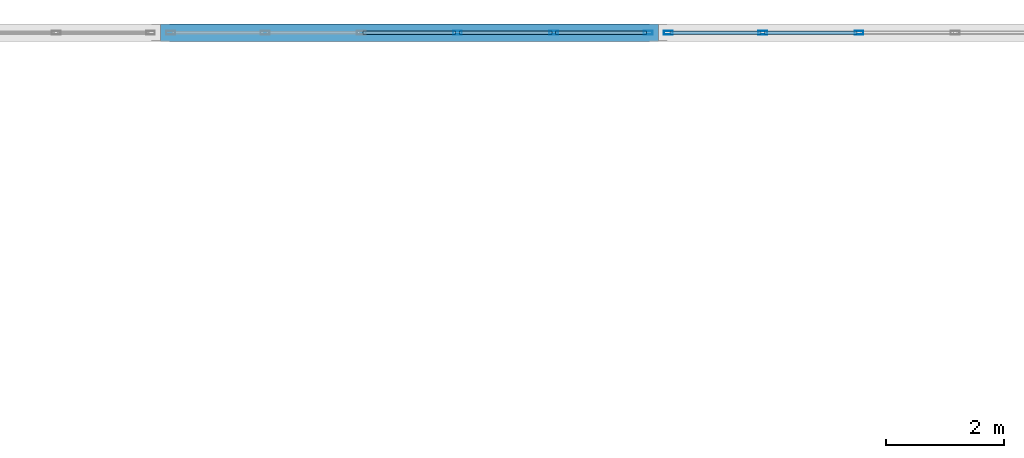
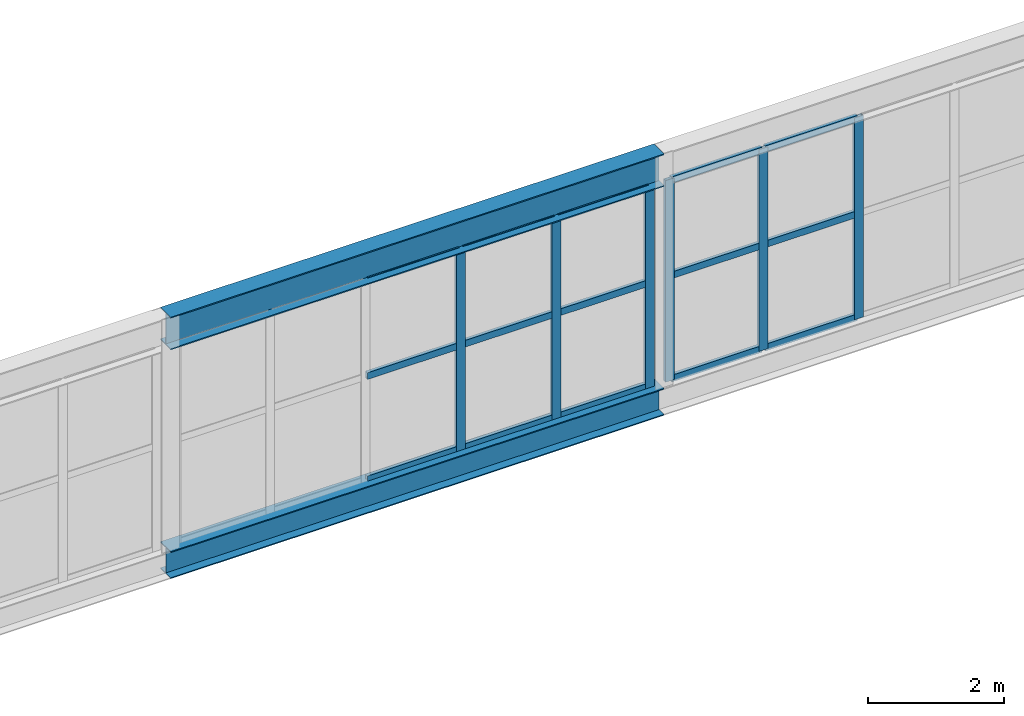
# One storey, part 173 of 218: 21 members, 2 beams, 2 elements without a shape of their own.
"""IFC4 building model written with IfcOpenShell, lengths in metres."""

from ifc_helpers import new_model, si_unit, direction, frame, origin, origin_2d, place, context, subcontext, project, spatial, hollow_rectangle, i_section, extrude, material, material_profile, profile_set, type_object, element, aggregate, save


model = new_model("IFC4")

# Units and contexts
model_context = context("Model", 3, precision=1e-05, world=origin(), true_north=direction((0.0, 1.0)))
body_context = subcontext(model_context, "Body", "Model", "MODEL_VIEW")
ifc_project = project(units=[si_unit("LENGTHUNIT", "METRE"), si_unit("AREAUNIT", "SQUARE_METRE"), si_unit("VOLUMEUNIT", "CUBIC_METRE"), si_unit("PLANEANGLEUNIT", "RADIAN"), si_unit("MASSUNIT", "GRAM", prefix="KILO")], contexts=[model_context])

# Site, building, storey
site_placement = place(None, origin())
site = spatial("IfcSite", under=ifc_project, at=site_placement, CompositionType="ELEMENT")
building_placement = place(site_placement, origin())
building = spatial("IfcBuilding", under=site, at=building_placement, Name="Kazenagashi Tramway Depot", CompositionType="ELEMENT")
storey_placement = place(building_placement, frame((0.0, 0.0, 6.0)))
storey = spatial("IfcBuildingStorey", under=building, at=storey_placement, Name="L02", CompositionType="ELEMENT", Elevation=6.0)

# Curtain wall, members
ifc_material_1 = material(Name="Anodised Aluminium and Low-E Glazing", Category="aluminium")
curtain_wall_type = type_object("IfcCurtainWallType", Name="CW-15", PredefinedType="USERDEFINED", material=ifc_material_1)
curtain_wall_1_placement = place(storey_placement, origin())
curtain_wall_1 = element("IfcCurtainWall", 1, at=curtain_wall_1_placement, inside=storey, type_object=curtain_wall_type, Name="Industrial Glazed Screen CW-15 CW-0087", ObjectType="GLAZED SCREEN", PredefinedType="USERDEFINED")
ifc_material_2 = material(Name="Anodised Aluminium", Category="aluminium")
ifc_material_profile_1 = material_profile(ifc_material_2, hollow_rectangle(XDim=0.06, YDim=0.15, WallThickness=0.004, at=origin_2d()), Name="RHS-150x60x4")
ifc_profile_set_1 = profile_set([ifc_material_profile_1], Name="Anodised Aluminium")
member_type_1 = type_object("IfcMemberType", Name="ML-01", PredefinedType="MULLION", material=ifc_profile_set_1)
member_1_placement = place(storey_placement, frame((159.012, 130.0, -0.02), z_axis=(0.0, 0.0, 1.0), x_axis=(0.0, 1.0, 0.0)))
member_1 = element("IfcMember", 2, at=member_1_placement, type_object=member_type_1, Name="CW-15 mullion 4", PredefinedType="MULLION", context=body_context, shape_type="SweptSolid", body=[
    extrude(hollow_rectangle(XDim=0.06, YDim=0.15, WallThickness=0.004, at=origin_2d()), origin(), (0.0, 0.0, 1.0), 3.632),
])
member_2_placement = place(storey_placement, frame((160.636, 130.0, -0.02), z_axis=(0.0, 0.0, 1.0), x_axis=(0.0, 1.0, 0.0)))
member_2 = element("IfcMember", 3, at=member_2_placement, type_object=member_type_1, Name="CW-15 mullion 5", PredefinedType="MULLION", context=body_context, shape_type="SweptSolid", body=[
    extrude(hollow_rectangle(XDim=0.06, YDim=0.15, WallThickness=0.004, at=origin_2d()), origin(), (0.0, 0.0, 1.0), 3.632),
])
member_3_placement = place(storey_placement, frame((162.23, 130.0, -0.02), z_axis=(0.0, 0.0, 1.0), x_axis=(0.0, 1.0, 0.0)))
member_3 = element("IfcMember", 4, at=member_3_placement, type_object=member_type_1, Name="CW-15 mullion 6", PredefinedType="MULLION", context=body_context, shape_type="SweptSolid", body=[
    extrude(hollow_rectangle(XDim=0.06, YDim=0.15, WallThickness=0.004, at=origin_2d()), origin(), (0.0, 0.0, 1.0), 3.632),
])

curtain_wall_2_placement = place(storey_placement, origin())
curtain_wall_2 = element("IfcCurtainWall", 5, at=curtain_wall_2_placement, inside=storey, type_object=curtain_wall_type, Name="Industrial Glazed Screen CW-15 CW-0090", ObjectType="GLAZED SCREEN", PredefinedType="USERDEFINED")
member_4_placement = place(storey_placement, frame((162.57, 130.0, -0.02), z_axis=(0.0, 0.0, 1.0), x_axis=(0.0, 1.0, 0.0)))
member_4 = element("IfcMember", 6, at=member_4_placement, type_object=member_type_1, Name="CW-15 mullion 1", PredefinedType="MULLION", context=body_context, shape_type="SweptSolid", body=[
    extrude(hollow_rectangle(XDim=0.06, YDim=0.15, WallThickness=0.004, at=origin_2d()), origin(), (0.0, 0.0, 1.0), 3.632),
])
member_5_placement = place(storey_placement, frame((164.164, 130.0, -0.02), z_axis=(0.0, 0.0, 1.0), x_axis=(0.0, 1.0, 0.0)))
member_5 = element("IfcMember", 7, at=member_5_placement, type_object=member_type_1, Name="CW-15 mullion 2", PredefinedType="MULLION", context=body_context, shape_type="SweptSolid", body=[
    extrude(hollow_rectangle(XDim=0.06, YDim=0.15, WallThickness=0.004, at=origin_2d()), origin(), (0.0, 0.0, 1.0), 3.632),
])
member_6_placement = place(storey_placement, frame((165.788, 130.0, -0.02), z_axis=(0.0, 0.0, 1.0), x_axis=(0.0, 1.0, 0.0)))
member_6 = element("IfcMember", 8, at=member_6_placement, type_object=member_type_1, Name="CW-15 mullion 3", PredefinedType="MULLION", context=body_context, shape_type="SweptSolid", body=[
    extrude(hollow_rectangle(XDim=0.06, YDim=0.15, WallThickness=0.004, at=origin_2d()), origin(), (0.0, 0.0, 1.0), 3.632),
])

# Beams
ifc_material_3 = material(Name="Steel SN490B", Category="steel")
ifc_material_profile_2 = material_profile(ifc_material_3, i_section(OverallWidth=0.3, OverallDepth=0.588, WebThickness=0.012, FlangeThickness=0.02, at=origin_2d()), Name="H-588x300x12x20")
ifc_profile_set_2 = profile_set([ifc_material_profile_2], Name="Steel SN490B")
beam_type_1 = type_object("IfcBeamType", Name="SP-01", PredefinedType="SPANDREL", material=ifc_profile_set_2)
beam_1_placement = place(storey_placement, frame((154.0, 130.0, 3.906), z_axis=(1.0, 0.0, 0.0), x_axis=(0.0, 1.0, 0.0)))
element("IfcBeam", 9, at=beam_1_placement, inside=storey, type_object=beam_type_1, Name="Beam SP-01 BM-1893", PredefinedType="SPANDREL", context=body_context, shape_type="SweptSolid", body=[
    extrude(i_section(OverallWidth=0.3, OverallDepth=0.588, WebThickness=0.012, FlangeThickness=0.02, at=origin_2d()), origin(), (0.0, 0.0, 1.0), 8.4),
])
ifc_material_profile_3 = material_profile(ifc_material_3, i_section(OverallWidth=0.3, OverallDepth=0.488, WebThickness=0.011, FlangeThickness=0.018, at=origin_2d()), Name="H-488x300x11x18")
ifc_profile_set_3 = profile_set([ifc_material_profile_3], Name="Steel SN490B")
beam_type_2 = type_object("IfcBeamType", Name="SP-02", PredefinedType="SPANDREL", material=ifc_profile_set_3)
beam_2_placement = place(storey_placement, frame((154.0, 130.0, -0.264), z_axis=(1.0, 0.0, 0.0), x_axis=(0.0, 1.0, 0.0)))
element("IfcBeam", 10, at=beam_2_placement, inside=storey, type_object=beam_type_2, Name="Beam SP-02 BM-1837", PredefinedType="SPANDREL", context=body_context, shape_type="SweptSolid", body=[
    extrude(i_section(OverallWidth=0.3, OverallDepth=0.488, WebThickness=0.011, FlangeThickness=0.018, at=origin_2d()), origin(), (0.0, 0.0, 1.0), 8.4),
])

# Member
ifc_material_profile_4 = material_profile(ifc_material_2, hollow_rectangle(XDim=0.06, YDim=0.12, WallThickness=0.004, at=origin_2d()), Name="RHS-120x60x4")
ifc_profile_set_4 = profile_set([ifc_material_profile_4], Name="Anodised Aluminium")
member_type_2 = type_object("IfcMemberType", Name="TR-01", PredefinedType="USERDEFINED", material=ifc_profile_set_4)
member_7_placement = place(storey_placement, frame((157.418, 130.0, 0.01), z_axis=(1.0, 0.0, 0.0), x_axis=(0.0, 1.0, 0.0)))
member_7 = element("IfcMember", 11, at=member_7_placement, type_object=member_type_2, Name="CW-15 transom 3.1", ObjectType="TRANSOM", PredefinedType="USERDEFINED", context=body_context, shape_type="SweptSolid", body=[
    extrude(hollow_rectangle(XDim=0.06, YDim=0.12, WallThickness=0.004, at=origin_2d()), origin(), (0.0, 0.0, 1.0), 1.564),
])

member_8_placement = place(storey_placement, frame((157.418, 130.0, 1.869), z_axis=(1.0, 0.0, 0.0), x_axis=(0.0, 1.0, 0.0)))
member_8 = element("IfcMember", 12, at=member_8_placement, type_object=member_type_2, Name="CW-15 transom 3.2", ObjectType="TRANSOM", PredefinedType="USERDEFINED", context=body_context, shape_type="SweptSolid", body=[
    extrude(hollow_rectangle(XDim=0.06, YDim=0.12, WallThickness=0.004, at=origin_2d()), origin(), (0.0, 0.0, 1.0), 1.564),
])

member_9_placement = place(storey_placement, frame((157.418, 130.0, 3.582), z_axis=(1.0, 0.0, 0.0), x_axis=(0.0, 1.0, 0.0)))
member_9 = element("IfcMember", 13, at=member_9_placement, type_object=member_type_2, Name="CW-15 transom 3.3", ObjectType="TRANSOM", PredefinedType="USERDEFINED", context=body_context, shape_type="SweptSolid", body=[
    extrude(hollow_rectangle(XDim=0.06, YDim=0.12, WallThickness=0.004, at=origin_2d()), origin(), (0.0, 0.0, 1.0), 1.564),
])

member_10_placement = place(storey_placement, frame((159.042, 130.0, 0.01), z_axis=(1.0, 0.0, 0.0), x_axis=(0.0, 1.0, 0.0)))
member_10 = element("IfcMember", 14, at=member_10_placement, type_object=member_type_2, Name="CW-15 transom 4.1", ObjectType="TRANSOM", PredefinedType="USERDEFINED", context=body_context, shape_type="SweptSolid", body=[
    extrude(hollow_rectangle(XDim=0.06, YDim=0.12, WallThickness=0.004, at=origin_2d()), origin(), (0.0, 0.0, 1.0), 1.564),
])

member_11_placement = place(storey_placement, frame((159.042, 130.0, 1.869), z_axis=(1.0, 0.0, 0.0), x_axis=(0.0, 1.0, 0.0)))
member_11 = element("IfcMember", 15, at=member_11_placement, type_object=member_type_2, Name="CW-15 transom 4.2", ObjectType="TRANSOM", PredefinedType="USERDEFINED", context=body_context, shape_type="SweptSolid", body=[
    extrude(hollow_rectangle(XDim=0.06, YDim=0.12, WallThickness=0.004, at=origin_2d()), origin(), (0.0, 0.0, 1.0), 1.564),
])

member_12_placement = place(storey_placement, frame((159.042, 130.0, 3.582), z_axis=(1.0, 0.0, 0.0), x_axis=(0.0, 1.0, 0.0)))
member_12 = element("IfcMember", 16, at=member_12_placement, type_object=member_type_2, Name="CW-15 transom 4.3", ObjectType="TRANSOM", PredefinedType="USERDEFINED", context=body_context, shape_type="SweptSolid", body=[
    extrude(hollow_rectangle(XDim=0.06, YDim=0.12, WallThickness=0.004, at=origin_2d()), origin(), (0.0, 0.0, 1.0), 1.564),
])

member_13_placement = place(storey_placement, frame((160.666, 130.0, 0.01), z_axis=(1.0, 0.0, 0.0), x_axis=(0.0, 1.0, 0.0)))
member_13 = element("IfcMember", 17, at=member_13_placement, type_object=member_type_2, Name="CW-15 transom 5.1", ObjectType="TRANSOM", PredefinedType="USERDEFINED", context=body_context, shape_type="SweptSolid", body=[
    extrude(hollow_rectangle(XDim=0.06, YDim=0.12, WallThickness=0.004, at=origin_2d()), origin(), (0.0, 0.0, 1.0), 1.534),
])

member_14_placement = place(storey_placement, frame((160.666, 130.0, 1.869), z_axis=(1.0, 0.0, 0.0), x_axis=(0.0, 1.0, 0.0)))
member_14 = element("IfcMember", 18, at=member_14_placement, type_object=member_type_2, Name="CW-15 transom 5.2", ObjectType="TRANSOM", PredefinedType="USERDEFINED", context=body_context, shape_type="SweptSolid", body=[
    extrude(hollow_rectangle(XDim=0.06, YDim=0.12, WallThickness=0.004, at=origin_2d()), origin(), (0.0, 0.0, 1.0), 1.534),
])

member_15_placement = place(storey_placement, frame((160.666, 130.0, 3.582), z_axis=(1.0, 0.0, 0.0), x_axis=(0.0, 1.0, 0.0)))
member_15 = element("IfcMember", 19, at=member_15_placement, type_object=member_type_2, Name="CW-15 transom 5.3", ObjectType="TRANSOM", PredefinedType="USERDEFINED", context=body_context, shape_type="SweptSolid", body=[
    extrude(hollow_rectangle(XDim=0.06, YDim=0.12, WallThickness=0.004, at=origin_2d()), origin(), (0.0, 0.0, 1.0), 1.534),
])

aggregate(curtain_wall_1, [member_1, member_2, member_3, member_7, member_8, member_9, member_10, member_11, member_12, member_13, member_14, member_15])

member_16_placement = place(storey_placement, frame((162.6, 130.0, 0.01), z_axis=(1.0, 0.0, 0.0), x_axis=(0.0, 1.0, 0.0)))
member_16 = element("IfcMember", 20, at=member_16_placement, type_object=member_type_2, Name="CW-15 transom 1.1", ObjectType="TRANSOM", PredefinedType="USERDEFINED", context=body_context, shape_type="SweptSolid", body=[
    extrude(hollow_rectangle(XDim=0.06, YDim=0.12, WallThickness=0.004, at=origin_2d()), origin(), (0.0, 0.0, 1.0), 1.534),
])

member_17_placement = place(storey_placement, frame((162.6, 130.0, 1.869), z_axis=(1.0, 0.0, 0.0), x_axis=(0.0, 1.0, 0.0)))
member_17 = element("IfcMember", 21, at=member_17_placement, type_object=member_type_2, Name="CW-15 transom 1.2", ObjectType="TRANSOM", PredefinedType="USERDEFINED", context=body_context, shape_type="SweptSolid", body=[
    extrude(hollow_rectangle(XDim=0.06, YDim=0.12, WallThickness=0.004, at=origin_2d()), origin(), (0.0, 0.0, 1.0), 1.534),
])

member_18_placement = place(storey_placement, frame((162.6, 130.0, 3.582), z_axis=(1.0, 0.0, 0.0), x_axis=(0.0, 1.0, 0.0)))
member_18 = element("IfcMember", 22, at=member_18_placement, type_object=member_type_2, Name="CW-15 transom 1.3", ObjectType="TRANSOM", PredefinedType="USERDEFINED", context=body_context, shape_type="SweptSolid", body=[
    extrude(hollow_rectangle(XDim=0.06, YDim=0.12, WallThickness=0.004, at=origin_2d()), origin(), (0.0, 0.0, 1.0), 1.534),
])

member_19_placement = place(storey_placement, frame((164.194, 130.0, 0.01), z_axis=(1.0, 0.0, 0.0), x_axis=(0.0, 1.0, 0.0)))
member_19 = element("IfcMember", 23, at=member_19_placement, type_object=member_type_2, Name="CW-15 transom 2.1", ObjectType="TRANSOM", PredefinedType="USERDEFINED", context=body_context, shape_type="SweptSolid", body=[
    extrude(hollow_rectangle(XDim=0.06, YDim=0.12, WallThickness=0.004, at=origin_2d()), origin(), (0.0, 0.0, 1.0), 1.564),
])

member_20_placement = place(storey_placement, frame((164.194, 130.0, 1.869), z_axis=(1.0, 0.0, 0.0), x_axis=(0.0, 1.0, 0.0)))
member_20 = element("IfcMember", 24, at=member_20_placement, type_object=member_type_2, Name="CW-15 transom 2.2", ObjectType="TRANSOM", PredefinedType="USERDEFINED", context=body_context, shape_type="SweptSolid", body=[
    extrude(hollow_rectangle(XDim=0.06, YDim=0.12, WallThickness=0.004, at=origin_2d()), origin(), (0.0, 0.0, 1.0), 1.564),
])

member_21_placement = place(storey_placement, frame((164.194, 130.0, 3.582), z_axis=(1.0, 0.0, 0.0), x_axis=(0.0, 1.0, 0.0)))
member_21 = element("IfcMember", 25, at=member_21_placement, type_object=member_type_2, Name="CW-15 transom 2.3", ObjectType="TRANSOM", PredefinedType="USERDEFINED", context=body_context, shape_type="SweptSolid", body=[
    extrude(hollow_rectangle(XDim=0.06, YDim=0.12, WallThickness=0.004, at=origin_2d()), origin(), (0.0, 0.0, 1.0), 1.564),
])

aggregate(curtain_wall_2, [member_4, member_5, member_6, member_16, member_17, member_18, member_19, member_20, member_21])

save(model, "model.ifc")
